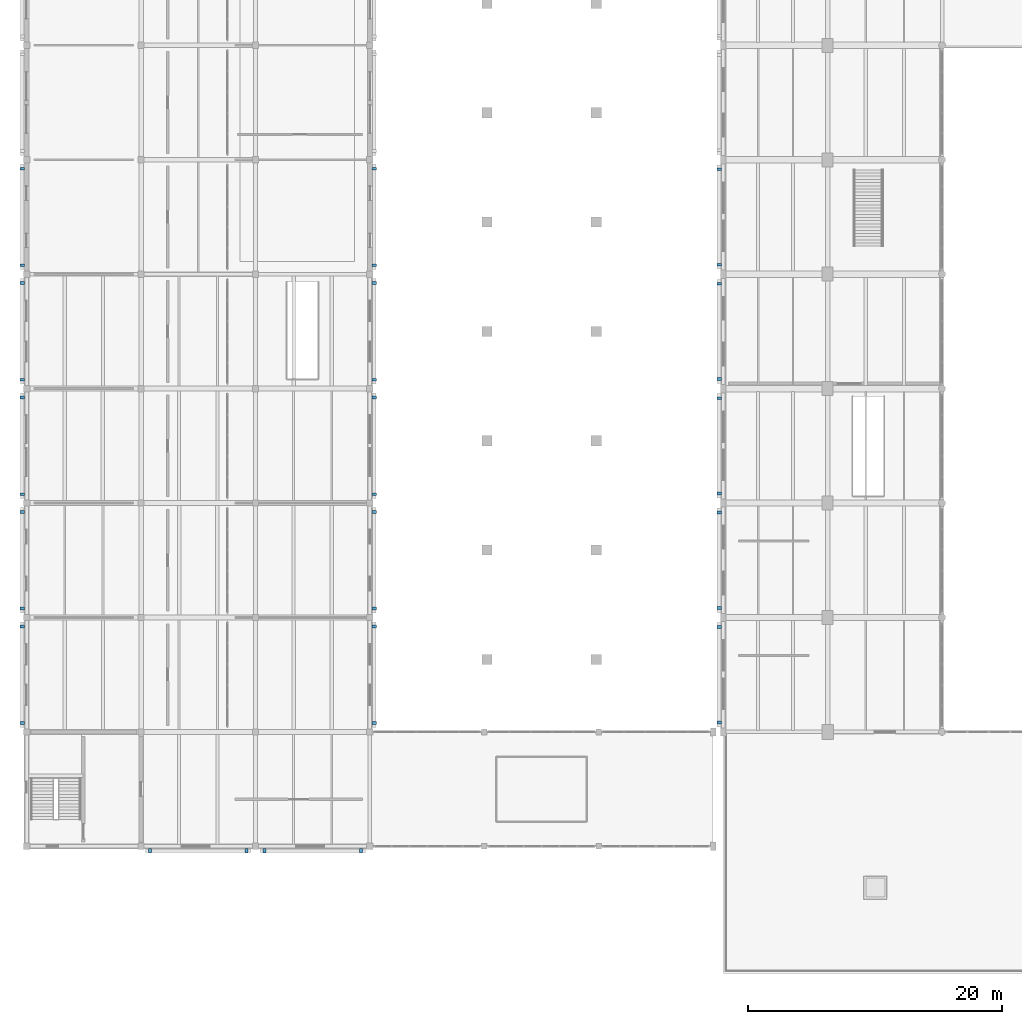
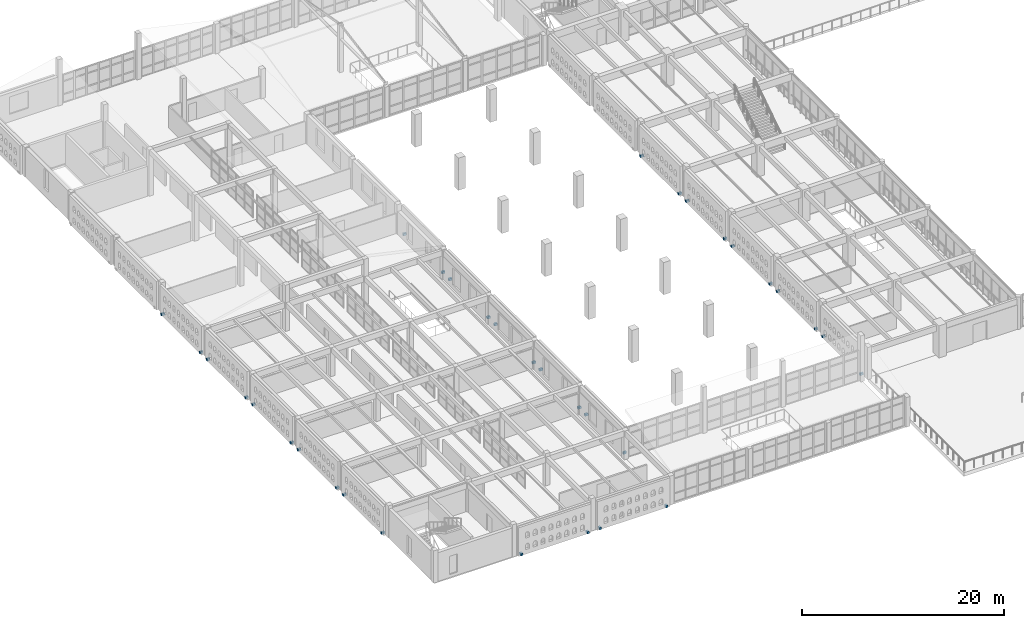
# One storey, part 138 of 156: 34 discrete accessories.
"""IFC4 building model written with IfcOpenShell, lengths in metres."""

from ifc_helpers import new_model, si_unit, direction, frame, origin, origin_2d, place, context, subcontext, project, spatial, rectangle, extrude, material, type_object, element, save


model = new_model("IFC4")

# Units and contexts
model_context = context("Model", 3, precision=1e-05, world=origin(), true_north=direction((0.0, 1.0)))
body_context = subcontext(model_context, "Body", "Model", "MODEL_VIEW")
ifc_project = project(units=[si_unit("LENGTHUNIT", "METRE"), si_unit("AREAUNIT", "SQUARE_METRE"), si_unit("VOLUMEUNIT", "CUBIC_METRE"), si_unit("PLANEANGLEUNIT", "RADIAN"), si_unit("MASSUNIT", "GRAM", prefix="KILO")], contexts=[model_context])

# Site, building, storey
site_placement = place(None, origin())
site = spatial("IfcSite", under=ifc_project, at=site_placement, CompositionType="ELEMENT")
building_placement = place(site_placement, origin())
building = spatial("IfcBuilding", under=site, at=building_placement, Name="Ornek Quay Market", CompositionType="ELEMENT")
storey_placement = place(building_placement, frame((0.0, 0.0, 4.5)))
storey = spatial("IfcBuildingStorey", under=building, at=storey_placement, Name="L01", CompositionType="ELEMENT", Elevation=4.5)

# Discrete accessories
ifc_material = material(Name="Stainless steel 316", Category="steel")
discrete_accessory_type = type_object("IfcDiscreteAccessoryType", Name="ACC-BRK-SCREEN-250", PredefinedType="BRACKET", material=ifc_material)
for number, where, z_axis, x_axis, name in (
    (1, (-0.340087890625, 29.699951171875, 0.0), (0.0, 0.0, 1.0), (0.0, 1.0, 0.0), "Masonry screen bracket BRK-025"),
    (2, (-0.340087890625, 37.300048828125, 0.0), (0.0, 0.0, 1.0), (0.0, 1.0, 0.0), "Masonry screen bracket BRK-026"),
    (3, (-0.340087890625, 38.699951171875, 0.0), (0.0, 0.0, 1.0), (0.0, 1.0, 0.0), "Masonry screen bracket BRK-027"),
    (4, (-0.340087890625, 46.300048828125, 0.0), (0.0, 0.0, 1.0), (0.0, 1.0, 0.0), "Masonry screen bracket BRK-028"),
    (5, (-0.340087890625, 47.699951171875, 0.0), (0.0, 0.0, 1.0), (0.0, 1.0, 0.0), "Masonry screen bracket BRK-029"),
    (6, (-0.340087890625, 55.300048828125, 0.0), (0.0, 0.0, 1.0), (0.0, 1.0, 0.0), "Masonry screen bracket BRK-030"),
    (7, (-0.340087890625, 56.699951171875, 0.0), (0.0, 0.0, 1.0), (0.0, 1.0, 0.0), "Masonry screen bracket BRK-031"),
    (8, (-0.340087890625, 64.300048828125, 0.0), (0.0, 0.0, 1.0), (0.0, 1.0, 0.0), "Masonry screen bracket BRK-032"),
    (9, (-0.340087890625, 65.699951171875, 0.0), (0.0, 0.0, 1.0), (0.0, 1.0, 0.0), "Masonry screen bracket BRK-033"),
    (10, (-0.340087890625, 73.300048828125, 0.0), (0.0, 0.0, 1.0), (0.0, 1.0, 0.0), "Masonry screen bracket BRK-034"),
    (11, (27.340087890625, 29.699951171875, 0.0), (0.0, 0.0, 1.0), (0.0, 1.0, 0.0), "Masonry screen bracket BRK-041"),
    (12, (27.340087890625, 37.300048828125, 0.0), (0.0, 0.0, 1.0), (0.0, 1.0, 0.0), "Masonry screen bracket BRK-042"),
    (13, (27.340087890625, 38.699951171875, 0.0), (0.0, 0.0, 1.0), (0.0, 1.0, 0.0), "Masonry screen bracket BRK-043"),
    (14, (27.340087890625, 46.300048828125, 0.0), (0.0, 0.0, 1.0), (0.0, 1.0, 0.0), "Masonry screen bracket BRK-044"),
    (15, (27.340087890625, 47.699951171875, 0.0), (0.0, 0.0, 1.0), (0.0, 1.0, 0.0), "Masonry screen bracket BRK-045"),
    (16, (27.340087890625, 55.300048828125, 0.0), (0.0, 0.0, 1.0), (0.0, 1.0, 0.0), "Masonry screen bracket BRK-046"),
    (17, (27.340087890625, 56.699951171875, 0.0), (0.0, 0.0, 1.0), (0.0, 1.0, 0.0), "Masonry screen bracket BRK-047"),
    (18, (27.340087890625, 64.300048828125, 0.0), (0.0, 0.0, 1.0), (0.0, 1.0, 0.0), "Masonry screen bracket BRK-048"),
    (19, (27.340087890625, 65.699951171875, 0.0), (0.0, 0.0, 1.0), (0.0, 1.0, 0.0), "Masonry screen bracket BRK-049"),
    (20, (27.340087890625, 73.300048828125, 0.0), (0.0, 0.0, 1.0), (0.0, 1.0, 0.0), "Masonry screen bracket BRK-050"),
    (21, (9.699951171875, 19.659912109375, 0.0), (0.0, 0.0, 1.0), (1.0, 0.0, 0.0), "Masonry screen bracket BRK-055"),
    (22, (17.300048828125, 19.659912109375, 0.0), (0.0, 0.0, 1.0), (1.0, 0.0, 0.0), "Masonry screen bracket BRK-056"),
    (23, (18.699951171875, 19.659912109375, 0.0), (0.0, 0.0, 1.0), (1.0, 0.0, 0.0), "Masonry screen bracket BRK-057"),
    (24, (26.300048828125, 19.659912109375, 0.0), (0.0, 0.0, 1.0), (1.0, 0.0, 0.0), "Masonry screen bracket BRK-058"),
    (25, (54.4599609375, 29.75, 0.0), (0.0, 0.0, 1.0), (0.0, 1.0, 0.0), "Masonry screen bracket BRK-083"),
    (26, (54.4599609375, 37.25, 0.0), (0.0, 0.0, 1.0), (0.0, 1.0, 0.0), "Masonry screen bracket BRK-084"),
    (27, (54.4599609375, 38.75, 0.0), (0.0, 0.0, 1.0), (0.0, 1.0, 0.0), "Masonry screen bracket BRK-085"),
    (28, (54.4599609375, 46.25, 0.0), (0.0, 0.0, 1.0), (0.0, 1.0, 0.0), "Masonry screen bracket BRK-086"),
    (29, (54.4599609375, 47.75, 0.0), (0.0, 0.0, 1.0), (0.0, 1.0, 0.0), "Masonry screen bracket BRK-087"),
    (30, (54.4599609375, 55.25, 0.0), (0.0, 0.0, 1.0), (0.0, 1.0, 0.0), "Masonry screen bracket BRK-088"),
    (31, (54.4599609375, 56.75, 0.0), (0.0, 0.0, 1.0), (0.0, 1.0, 0.0), "Masonry screen bracket BRK-089"),
    (32, (54.4599609375, 64.25, 0.0), (0.0, 0.0, 1.0), (0.0, 1.0, 0.0), "Masonry screen bracket BRK-090"),
    (33, (54.4599609375, 65.75, 0.0), (0.0, 0.0, 1.0), (0.0, 1.0, 0.0), "Masonry screen bracket BRK-091"),
    (34, (54.4599609375, 73.25, 0.0), (0.0, 0.0, 1.0), (0.0, 1.0, 0.0), "Masonry screen bracket BRK-092"),
):
    element("IfcDiscreteAccessory", number, at=place(storey_placement, frame(where, z_axis=z_axis, x_axis=x_axis)), inside=storey, type_object=discrete_accessory_type, Name=name, PredefinedType="BRACKET", context=body_context, shape_type="SweptSolid", body=[
        extrude(rectangle(XDim=0.219970703125, YDim=0.360107421875, at=origin_2d()), origin(), (0.0, 0.0, 1.0), 0.260009765625),
    ])

save(model, "model.ifc")
